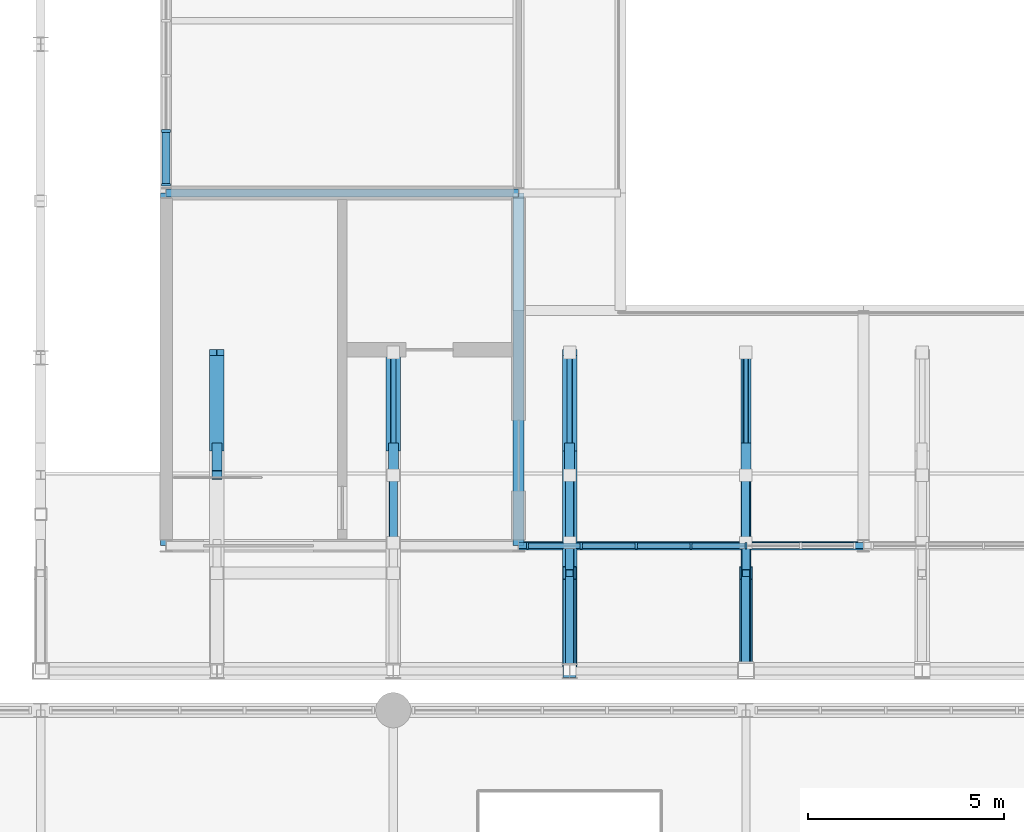
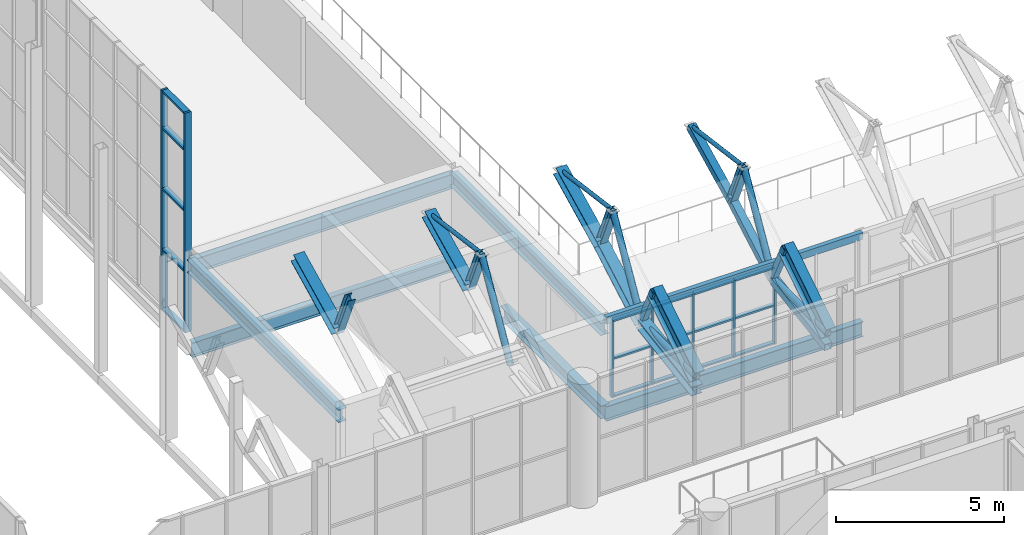
# One storey, part 47 of 134: 46 members, 9 beams, 2 elements without a shape of their own.
"""IFC4 building model written with IfcOpenShell, lengths in metres."""

from ifc_helpers import new_model, si_unit, direction, frame, origin, origin_2d, place, context, subcontext, project, spatial, rectangle, hollow_rectangle, hollow_circle, i_section, extrude, material, layer, layer_set, material_profile, profile_set, type_object, element, aggregate, save


model = new_model("IFC4")

# Units and contexts
model_context = context("Model", 3, precision=1e-05, world=origin(), true_north=direction((0.0, 1.0)))
body_context = subcontext(model_context, "Body", "Model", "MODEL_VIEW")
ifc_project = project(units=[si_unit("LENGTHUNIT", "METRE"), si_unit("AREAUNIT", "SQUARE_METRE"), si_unit("VOLUMEUNIT", "CUBIC_METRE"), si_unit("PLANEANGLEUNIT", "RADIAN"), si_unit("MASSUNIT", "GRAM", prefix="KILO")], contexts=[model_context])

# Site, building, storey
site_placement = place(None, origin())
site = spatial("IfcSite", under=ifc_project, at=site_placement, CompositionType="ELEMENT")
building_placement = place(site_placement, origin())
building = spatial("IfcBuilding", under=site, at=building_placement, Name="Cazmaro Siding Exhibition Halls", CompositionType="ELEMENT")
storey_placement = place(building_placement, frame((0.0, 0.0, 12.0)))
storey = spatial("IfcBuildingStorey", under=building, at=storey_placement, Name="L02", CompositionType="ELEMENT", Elevation=12.0)

# Beams
ifc_material_1 = material(Name="Steel ASTM A992 Grade 50", Category="steel")
ifc_material_profile_1 = material_profile(ifc_material_1, i_section(OverallWidth=0.327880859375, OverallDepth=0.626953125, WebThickness=0.01708984375, FlangeThickness=0.028076171875, at=origin_2d()), Name="W24X146")
ifc_profile_set_1 = profile_set([ifc_material_profile_1], Name="Steel ASTM A992 Grade 50")
beam_type_1 = type_object("IfcBeamType", Name="AR-01", PredefinedType="USERDEFINED", material=ifc_profile_set_1)
beam_1_placement = place(storey_placement, frame((58.5, 64.0, 2.300048828125), z_axis=(0.0, 0.843339173298, 0.537381650954), x_axis=(-1.0, 0.0, 0.0)))
element("IfcBeam", 1, at=beam_1_placement, inside=storey, type_object=beam_type_1, Name="Space frame barrel vault arched rib AR-01 BM-0607", ObjectType="ARCHED RIB", PredefinedType="USERDEFINED", context=body_context, shape_type="SweptSolid", body=[
    extrude(i_section(OverallWidth=0.327880859375, OverallDepth=0.626953125, WebThickness=0.01708984375, FlangeThickness=0.028076171875, at=origin_2d()), origin(), (0.0, 0.0, 1.0), 2.96435546875),
])
ifc_material_2 = material(Name="Steel ASTM A992 Grade 50", Category="steel")
ifc_material_profile_2 = material_profile(ifc_material_2, i_section(OverallWidth=0.324951171875, OverallDepth=0.612060546875, WebThickness=0.012939453125, FlangeThickness=0.01904296875, at=origin_2d()), Name="W24X104")
ifc_profile_set_2 = profile_set([ifc_material_profile_2], Name="Steel ASTM A992 Grade 50")
beam_type_2 = type_object("IfcBeamType", Name="AR-02", PredefinedType="USERDEFINED", material=ifc_profile_set_2)
beam_2_placement = place(storey_placement, frame((63.0, 64.0, 2.300048828125), z_axis=(0.0, 0.843339173298, 0.537381650954), x_axis=(-1.0, 0.0, 0.0)))
element("IfcBeam", 2, at=beam_2_placement, inside=storey, type_object=beam_type_2, Name="Space frame barrel vault arched rib AR-02 BM-0631", ObjectType="ARCHED RIB", PredefinedType="USERDEFINED", context=body_context, shape_type="SweptSolid", body=[
    extrude(i_section(OverallWidth=0.324951171875, OverallDepth=0.612060546875, WebThickness=0.012939453125, FlangeThickness=0.01904296875, at=origin_2d()), origin(), (0.0, 0.0, 1.0), 2.96435546875),
])
ifc_material_3 = material(Name="Steel ASTM A992 Grade 50", Category="steel")
ifc_material_profile_3 = material_profile(ifc_material_3, i_section(OverallWidth=0.2099609375, OverallDepth=0.535888671875, WebThickness=0.010986328125, FlangeThickness=0.01708984375, at=origin_2d()), Name="W21X68")
ifc_profile_set_3 = profile_set([ifc_material_profile_3], Name="Steel ASTM A992 Grade 50")
beam_type_3 = type_object("IfcBeamType", Name="B-02", PredefinedType="BEAM", material=ifc_profile_set_3)
beam_3_placement = place(storey_placement, frame((48.199951171875, 76.199951171875, 2.52197265625), z_axis=(1.0, 0.0, 0.0), x_axis=(0.0, 1.0, 0.0)))
element("IfcBeam", 3, at=beam_3_placement, inside=storey, type_object=beam_type_3, Name="Beam B-02 BM-0254", PredefinedType="BEAM", context=body_context, shape_type="SweptSolid", body=[
    extrude(i_section(OverallWidth=0.2099609375, OverallDepth=0.535888671875, WebThickness=0.010986328125, FlangeThickness=0.01708984375, at=origin_2d()), origin(), (0.0, 0.0, 1.0), 9.0),
])
beam_4_placement = place(storey_placement, frame((57.199951171875, 67.199951171875, -0.488037109375), z_axis=(1.0, 0.0, 0.0), x_axis=(0.0, 1.0, 0.0)))
element("IfcBeam", 4, at=beam_4_placement, inside=storey, type_object=beam_type_3, Name="Beam B-02 BM-0451", PredefinedType="BEAM", context=body_context, shape_type="SweptSolid", body=[
    extrude(i_section(OverallWidth=0.2099609375, OverallDepth=0.535888671875, WebThickness=0.010986328125, FlangeThickness=0.01708984375, at=origin_2d()), origin(), (0.0, 0.0, 1.0), 8.800048828125),
])
beam_5_placement = place(storey_placement, frame((48.199951171875, 76.199951171875, -0.488037109375), z_axis=(1.0, 0.0, 0.0), x_axis=(0.0, 1.0, 0.0)))
element("IfcBeam", 5, at=beam_5_placement, inside=storey, type_object=beam_type_3, Name="Beam B-02 BM-0485", PredefinedType="BEAM", context=body_context, shape_type="SweptSolid", body=[
    extrude(i_section(OverallWidth=0.2099609375, OverallDepth=0.535888671875, WebThickness=0.010986328125, FlangeThickness=0.01708984375, at=origin_2d()), origin(), (0.0, 0.0, 1.0), 9.0),
])
ifc_material_4 = material(Name="Steel ASTM A992 Grade 50", Category="steel")
ifc_material_profile_4 = material_profile(ifc_material_4, i_section(OverallWidth=0.279052734375, OverallDepth=0.4619140625, WebThickness=0.010986328125, FlangeThickness=0.01708984375, at=origin_2d()), Name="W18X76")
ifc_profile_set_4 = profile_set([ifc_material_profile_4], Name="Steel ASTM A992 Grade 50")
beam_type_4 = type_object("IfcBeamType", Name="B-03", PredefinedType="BEAM", material=ifc_profile_set_4)
for number, where, z_axis, x_axis, name in (
    (6, (48.199951171875, 67.199951171875, 2.55908203125), (0.0, 1.0, 0.0), (-1.0, 0.0, 0.0), "Beam B-03 BM-0255"),
    (7, (57.199951171875, 67.199951171875, 2.55908203125), (0.0, 1.0, 0.0), (-1.0, 0.0, 0.0), "Beam B-03 BM-0256"),
):
    element("IfcBeam", number, at=place(storey_placement, frame(where, z_axis=z_axis, x_axis=x_axis)), inside=storey, type_object=beam_type_4, Name=name, PredefinedType="BEAM", context=body_context, shape_type="SweptSolid", body=[
        extrude(i_section(OverallWidth=0.279052734375, OverallDepth=0.4619140625, WebThickness=0.010986328125, FlangeThickness=0.01708984375, at=origin_2d()), origin(), (0.0, 0.0, 1.0), 9.0),
    ])
beam_6_placement = place(storey_placement, frame((57.199951171875, 67.199951171875, -0.450927734375), z_axis=(0.0, 1.0, 0.0), x_axis=(-1.0, 0.0, 0.0)))
element("IfcBeam", 8, at=beam_6_placement, inside=storey, type_object=beam_type_4, Name="Beam B-03 BM-0473", PredefinedType="BEAM", context=body_context, shape_type="SweptSolid", body=[
    extrude(i_section(OverallWidth=0.279052734375, OverallDepth=0.4619140625, WebThickness=0.010986328125, FlangeThickness=0.01708984375, at=origin_2d()), origin(), (0.0, 0.0, 1.0), 6.0),
])

# Curtain wall, members
ifc_material_5 = material(Name="Anodized Bronze Aluminum and Solar-Control Low-E Glazing", Category="aluminium")
ifc_layer_1 = layer(ifc_material_5, 0.219970703125)
ifc_layer_set_1 = layer_set([ifc_layer_1], Name="Anodized Bronze Aluminum and Solar-Control Low-E Glazing")
curtain_wall_type_1 = type_object("IfcCurtainWallType", Name="CWS-03", PredefinedType="USERDEFINED", material=ifc_layer_set_1)
curtain_wall_1_placement = place(storey_placement, origin())
curtain_wall_1 = element("IfcCurtainWall", 9, at=curtain_wall_1_placement, inside=storey, type_object=curtain_wall_type_1, Name="Glazed Curtain Wall CWS-03 CW-052", ObjectType="GLAZED CURTAIN WALL", PredefinedType="USERDEFINED")
ifc_material_6 = material(Name="Anodized Bronze Extruded Aluminum", Category="aluminium")
ifc_material_profile_5 = material_profile(ifc_material_6, rectangle(XDim=0.219970703125, YDim=0.070068359375, at=origin_2d()), Name="CWM-03")
ifc_profile_set_5 = profile_set([ifc_material_profile_5], Name="Anodized Bronze Extruded Aluminum")
member_type_1 = type_object("IfcMemberType", Name="CWM-03", PredefinedType="MULLION", material=ifc_profile_set_5)
member_1_placement = place(storey_placement, frame((48.199951171875, 77.78466796875, 0.0), z_axis=(0.0, 0.0, 1.0), x_axis=(1.0, 0.0, 0.0)))
member_1 = element("IfcMember", 10, at=member_1_placement, type_object=member_type_1, Name="CWS-03 mullion 6", PredefinedType="MULLION", context=body_context, shape_type="SweptSolid", body=[
    extrude(rectangle(XDim=0.219970703125, YDim=0.070068359375, at=origin_2d()), origin(), (0.0, 0.0, 1.0), 7.972900390625),
])
member_2_placement = place(storey_placement, frame((48.199951171875, 76.412109375, 0.0), z_axis=(0.0, 0.0, 1.0), x_axis=(1.0, 0.0, 0.0)))
member_2 = element("IfcMember", 11, at=member_2_placement, type_object=member_type_1, Name="CWS-03 mullion 7", PredefinedType="MULLION", context=body_context, shape_type="SweptSolid", body=[
    extrude(rectangle(XDim=0.219970703125, YDim=0.070068359375, at=origin_2d()), origin(), (0.0, 0.0, 1.0), 7.972900390625),
])

ifc_material_7 = material(Name="Anodized Bronze Aluminum and Solar-Control Low-E Glazing", Category="aluminium")
ifc_layer_2 = layer(ifc_material_7, 0.159912109375)
ifc_layer_set_2 = layer_set([ifc_layer_2], Name="Anodized Bronze Aluminum and Solar-Control Low-E Glazing")
curtain_wall_type_2 = type_object("IfcCurtainWallType", Name="CWS-04", PredefinedType="USERDEFINED", material=ifc_layer_set_2)
curtain_wall_2_placement = place(storey_placement, origin())
curtain_wall_2 = element("IfcCurtainWall", 12, at=curtain_wall_2_placement, inside=storey, type_object=curtain_wall_type_2, Name="Clerestory Curtain Wall CWS-04 CW-005", ObjectType="CLERESTORY CURTAIN WALL", PredefinedType="USERDEFINED")
ifc_material_8 = material(Name="Anodized Bronze Extruded Aluminum", Category="aluminium")
ifc_material_profile_6 = material_profile(ifc_material_8, rectangle(XDim=0.159912109375, YDim=0.06005859375, at=origin_2d()), Name="CWM-04")
ifc_profile_set_6 = profile_set([ifc_material_profile_6], Name="Anodized Bronze Extruded Aluminum")
member_type_2 = type_object("IfcMemberType", Name="CWM-04", PredefinedType="MULLION", material=ifc_profile_set_6)
member_3_placement = place(storey_placement, frame((57.427001953125, 67.199951171875, 0.0), z_axis=(0.0, 0.0, 1.0), x_axis=(0.0, 1.0, 0.0)))
member_3 = element("IfcMember", 13, at=member_3_placement, type_object=member_type_2, Name="CWS-04 mullion 1", PredefinedType="MULLION", context=body_context, shape_type="SweptSolid", body=[
    extrude(rectangle(XDim=0.159912109375, YDim=0.06005859375, at=origin_2d()), origin(), (0.0, 0.0, 1.0), 2.800048828125),
])
member_4_placement = place(storey_placement, frame((58.798095703125, 67.199951171875, 0.0), z_axis=(0.0, 0.0, 1.0), x_axis=(0.0, 1.0, 0.0)))
member_4 = element("IfcMember", 14, at=member_4_placement, type_object=member_type_2, Name="CWS-04 mullion 2", PredefinedType="MULLION", context=body_context, shape_type="SweptSolid", body=[
    extrude(rectangle(XDim=0.159912109375, YDim=0.06005859375, at=origin_2d()), origin(), (0.0, 0.0, 1.0), 2.800048828125),
])
member_5_placement = place(storey_placement, frame((60.198974609375, 67.199951171875, 0.0), z_axis=(0.0, 0.0, 1.0), x_axis=(0.0, 1.0, 0.0)))
member_5 = element("IfcMember", 15, at=member_5_placement, type_object=member_type_2, Name="CWS-04 mullion 3", PredefinedType="MULLION", context=body_context, shape_type="SweptSolid", body=[
    extrude(rectangle(XDim=0.159912109375, YDim=0.06005859375, at=origin_2d()), origin(), (0.0, 0.0, 1.0), 2.800048828125),
])
member_6_placement = place(storey_placement, frame((61.60009765625, 67.199951171875, 0.0), z_axis=(0.0, 0.0, 1.0), x_axis=(0.0, 1.0, 0.0)))
member_6 = element("IfcMember", 16, at=member_6_placement, type_object=member_type_2, Name="CWS-04 mullion 4", PredefinedType="MULLION", context=body_context, shape_type="SweptSolid", body=[
    extrude(rectangle(XDim=0.159912109375, YDim=0.06005859375, at=origin_2d()), origin(), (0.0, 0.0, 1.0), 2.800048828125),
])
member_7_placement = place(storey_placement, frame((63.0009765625, 67.199951171875, 0.0), z_axis=(0.0, 0.0, 1.0), x_axis=(0.0, 1.0, 0.0)))
member_7 = element("IfcMember", 17, at=member_7_placement, type_object=member_type_2, Name="CWS-04 mullion 5", PredefinedType="MULLION", context=body_context, shape_type="SweptSolid", body=[
    extrude(rectangle(XDim=0.159912109375, YDim=0.06005859375, at=origin_2d()), origin(), (0.0, 0.0, 1.0), 2.800048828125),
])

# Member
ifc_material_9 = material(Name="Anodized Bronze Extruded Aluminum", Category="aluminium")
ifc_material_profile_7 = material_profile(ifc_material_9, rectangle(XDim=0.199951171875, YDim=0.070068359375, at=origin_2d()), Name="CWT-03")
ifc_profile_set_7 = profile_set([ifc_material_profile_7], Name="Anodized Bronze Extruded Aluminum")
member_type_3 = type_object("IfcMemberType", Name="CWT-03", PredefinedType="MULLION", material=ifc_profile_set_7)
member_8_placement = place(storey_placement, frame((48.199951171875, 77.749755859375, 0.034912109375), z_axis=(0.0, -1.0, 0.0), x_axis=(1.0, 0.0, 0.0)))
member_8 = element("IfcMember", 18, at=member_8_placement, type_object=member_type_3, Name="CWS-03 transom 6.1", ObjectType="TRANSOM", PredefinedType="USERDEFINED", context=body_context, shape_type="SweptSolid", body=[
    extrude(rectangle(XDim=0.199951171875, YDim=0.070068359375, at=origin_2d()), origin(), (0.0, 0.0, 1.0), 1.302734375),
])

member_9_placement = place(storey_placement, frame((48.199951171875, 77.749755859375, 2.199951171875), z_axis=(0.0, -1.0, 0.0), x_axis=(1.0, 0.0, 0.0)))
member_9 = element("IfcMember", 19, at=member_9_placement, type_object=member_type_3, Name="CWS-03 transom 6.2", ObjectType="TRANSOM", PredefinedType="USERDEFINED", context=body_context, shape_type="SweptSolid", body=[
    extrude(rectangle(XDim=0.199951171875, YDim=0.070068359375, at=origin_2d()), origin(), (0.0, 0.0, 1.0), 1.302734375),
])

member_10_placement = place(storey_placement, frame((48.199951171875, 77.749755859375, 4.39990234375), z_axis=(0.0, -1.0, 0.0), x_axis=(1.0, 0.0, 0.0)))
member_10 = element("IfcMember", 20, at=member_10_placement, type_object=member_type_3, Name="CWS-03 transom 6.3", ObjectType="TRANSOM", PredefinedType="USERDEFINED", context=body_context, shape_type="SweptSolid", body=[
    extrude(rectangle(XDim=0.199951171875, YDim=0.070068359375, at=origin_2d()), origin(), (0.0, 0.0, 1.0), 1.302734375),
])

member_11_placement = place(storey_placement, frame((48.199951171875, 77.749755859375, 6.60009765625), z_axis=(0.0, -1.0, 0.0), x_axis=(1.0, 0.0, 0.0)))
member_11 = element("IfcMember", 21, at=member_11_placement, type_object=member_type_3, Name="CWS-03 transom 6.4", ObjectType="TRANSOM", PredefinedType="USERDEFINED", context=body_context, shape_type="SweptSolid", body=[
    extrude(rectangle(XDim=0.199951171875, YDim=0.070068359375, at=origin_2d()), origin(), (0.0, 0.0, 1.0), 1.302734375),
])

member_12_placement = place(storey_placement, frame((48.199951171875, 77.749755859375, 7.93798828125), z_axis=(0.0, -1.0, 0.0), x_axis=(1.0, 0.0, 0.0)))
member_12 = element("IfcMember", 22, at=member_12_placement, type_object=member_type_3, Name="CWS-03 transom 6.5", ObjectType="TRANSOM", PredefinedType="USERDEFINED", context=body_context, shape_type="SweptSolid", body=[
    extrude(rectangle(XDim=0.199951171875, YDim=0.070068359375, at=origin_2d()), origin(), (0.0, 0.0, 1.0), 1.302734375),
])

aggregate(curtain_wall_1, [member_1, member_2, member_8, member_9, member_10, member_11, member_12])

ifc_material_10 = material(Name="Anodized Bronze Extruded Aluminum", Category="aluminium")
ifc_material_profile_8 = material_profile(ifc_material_10, rectangle(XDim=0.139892578125, YDim=0.06005859375, at=origin_2d()), Name="CWT-04")
ifc_profile_set_8 = profile_set([ifc_material_profile_8], Name="Anodized Bronze Extruded Aluminum")
member_type_4 = type_object("IfcMemberType", Name="CWT-04", PredefinedType="MULLION", material=ifc_profile_set_8)
member_13_placement = place(storey_placement, frame((57.45703125, 67.199951171875, 0.030029296875), z_axis=(1.0, 0.0, 0.0), x_axis=(0.0, 1.0, 0.0)))
member_13 = element("IfcMember", 23, at=member_13_placement, type_object=member_type_4, Name="CWS-04 transom 1.1", ObjectType="TRANSOM", PredefinedType="USERDEFINED", context=body_context, shape_type="SweptSolid", body=[
    extrude(rectangle(XDim=0.139892578125, YDim=0.06005859375, at=origin_2d()), origin(), (0.0, 0.0, 1.0), 1.31103515625),
])

member_14_placement = place(storey_placement, frame((57.45703125, 67.199951171875, 1.39990234375), z_axis=(1.0, 0.0, 0.0), x_axis=(0.0, 1.0, 0.0)))
member_14 = element("IfcMember", 24, at=member_14_placement, type_object=member_type_4, Name="CWS-04 transom 1.2", ObjectType="TRANSOM", PredefinedType="USERDEFINED", context=body_context, shape_type="SweptSolid", body=[
    extrude(rectangle(XDim=0.139892578125, YDim=0.06005859375, at=origin_2d()), origin(), (0.0, 0.0, 1.0), 1.31103515625),
])

member_15_placement = place(storey_placement, frame((57.45703125, 67.199951171875, 2.77001953125), z_axis=(1.0, 0.0, 0.0), x_axis=(0.0, 1.0, 0.0)))
member_15 = element("IfcMember", 25, at=member_15_placement, type_object=member_type_4, Name="CWS-04 transom 1.3", ObjectType="TRANSOM", PredefinedType="USERDEFINED", context=body_context, shape_type="SweptSolid", body=[
    extrude(rectangle(XDim=0.139892578125, YDim=0.06005859375, at=origin_2d()), origin(), (0.0, 0.0, 1.0), 1.31103515625),
])

member_16_placement = place(storey_placement, frame((58.827880859375, 67.199951171875, 0.030029296875), z_axis=(1.0, 0.0, 0.0), x_axis=(0.0, 1.0, 0.0)))
member_16 = element("IfcMember", 26, at=member_16_placement, type_object=member_type_4, Name="CWS-04 transom 2.1", ObjectType="TRANSOM", PredefinedType="USERDEFINED", context=body_context, shape_type="SweptSolid", body=[
    extrude(rectangle(XDim=0.139892578125, YDim=0.06005859375, at=origin_2d()), origin(), (0.0, 0.0, 1.0), 1.341064453125),
])

member_17_placement = place(storey_placement, frame((58.827880859375, 67.199951171875, 1.39990234375), z_axis=(1.0, 0.0, 0.0), x_axis=(0.0, 1.0, 0.0)))
member_17 = element("IfcMember", 27, at=member_17_placement, type_object=member_type_4, Name="CWS-04 transom 2.2", ObjectType="TRANSOM", PredefinedType="USERDEFINED", context=body_context, shape_type="SweptSolid", body=[
    extrude(rectangle(XDim=0.139892578125, YDim=0.06005859375, at=origin_2d()), origin(), (0.0, 0.0, 1.0), 1.341064453125),
])

member_18_placement = place(storey_placement, frame((58.827880859375, 67.199951171875, 2.77001953125), z_axis=(1.0, 0.0, 0.0), x_axis=(0.0, 1.0, 0.0)))
member_18 = element("IfcMember", 28, at=member_18_placement, type_object=member_type_4, Name="CWS-04 transom 2.3", ObjectType="TRANSOM", PredefinedType="USERDEFINED", context=body_context, shape_type="SweptSolid", body=[
    extrude(rectangle(XDim=0.139892578125, YDim=0.06005859375, at=origin_2d()), origin(), (0.0, 0.0, 1.0), 1.341064453125),
])

member_19_placement = place(storey_placement, frame((60.22900390625, 67.199951171875, 0.030029296875), z_axis=(1.0, 0.0, 0.0), x_axis=(0.0, 1.0, 0.0)))
member_19 = element("IfcMember", 29, at=member_19_placement, type_object=member_type_4, Name="CWS-04 transom 3.1", ObjectType="TRANSOM", PredefinedType="USERDEFINED", context=body_context, shape_type="SweptSolid", body=[
    extrude(rectangle(XDim=0.139892578125, YDim=0.06005859375, at=origin_2d()), origin(), (0.0, 0.0, 1.0), 1.341064453125),
])

member_20_placement = place(storey_placement, frame((60.22900390625, 67.199951171875, 1.39990234375), z_axis=(1.0, 0.0, 0.0), x_axis=(0.0, 1.0, 0.0)))
member_20 = element("IfcMember", 30, at=member_20_placement, type_object=member_type_4, Name="CWS-04 transom 3.2", ObjectType="TRANSOM", PredefinedType="USERDEFINED", context=body_context, shape_type="SweptSolid", body=[
    extrude(rectangle(XDim=0.139892578125, YDim=0.06005859375, at=origin_2d()), origin(), (0.0, 0.0, 1.0), 1.341064453125),
])

member_21_placement = place(storey_placement, frame((60.22900390625, 67.199951171875, 2.77001953125), z_axis=(1.0, 0.0, 0.0), x_axis=(0.0, 1.0, 0.0)))
member_21 = element("IfcMember", 31, at=member_21_placement, type_object=member_type_4, Name="CWS-04 transom 3.3", ObjectType="TRANSOM", PredefinedType="USERDEFINED", context=body_context, shape_type="SweptSolid", body=[
    extrude(rectangle(XDim=0.139892578125, YDim=0.06005859375, at=origin_2d()), origin(), (0.0, 0.0, 1.0), 1.341064453125),
])

member_22_placement = place(storey_placement, frame((61.6298828125, 67.199951171875, 0.030029296875), z_axis=(1.0, 0.0, 0.0), x_axis=(0.0, 1.0, 0.0)))
member_22 = element("IfcMember", 32, at=member_22_placement, type_object=member_type_4, Name="CWS-04 transom 4.1", ObjectType="TRANSOM", PredefinedType="USERDEFINED", context=body_context, shape_type="SweptSolid", body=[
    extrude(rectangle(XDim=0.139892578125, YDim=0.06005859375, at=origin_2d()), origin(), (0.0, 0.0, 1.0), 1.341064453125),
])

member_23_placement = place(storey_placement, frame((61.6298828125, 67.199951171875, 1.39990234375), z_axis=(1.0, 0.0, 0.0), x_axis=(0.0, 1.0, 0.0)))
member_23 = element("IfcMember", 33, at=member_23_placement, type_object=member_type_4, Name="CWS-04 transom 4.2", ObjectType="TRANSOM", PredefinedType="USERDEFINED", context=body_context, shape_type="SweptSolid", body=[
    extrude(rectangle(XDim=0.139892578125, YDim=0.06005859375, at=origin_2d()), origin(), (0.0, 0.0, 1.0), 1.341064453125),
])

member_24_placement = place(storey_placement, frame((61.6298828125, 67.199951171875, 2.77001953125), z_axis=(1.0, 0.0, 0.0), x_axis=(0.0, 1.0, 0.0)))
member_24 = element("IfcMember", 34, at=member_24_placement, type_object=member_type_4, Name="CWS-04 transom 4.3", ObjectType="TRANSOM", PredefinedType="USERDEFINED", context=body_context, shape_type="SweptSolid", body=[
    extrude(rectangle(XDim=0.139892578125, YDim=0.06005859375, at=origin_2d()), origin(), (0.0, 0.0, 1.0), 1.341064453125),
])

aggregate(curtain_wall_2, [member_3, member_4, member_5, member_6, member_7, member_13, member_14, member_15, member_16, member_17, member_18, member_19, member_20, member_21, member_22, member_23, member_24])

# Beam
ifc_material_11 = material(Name="Steel ASTM A500 Grade C", Category="steel")
ifc_material_profile_9 = material_profile(ifc_material_11, hollow_rectangle(XDim=0.152099609375, YDim=0.25390625, WallThickness=0.011962890625, at=origin_2d()), Name="HSS10X6X1/2")
ifc_profile_set_9 = profile_set([ifc_material_profile_9], Name="Steel ASTM A500 Grade C")
beam_type_5 = type_object("IfcBeamType", Name="SP-02", PredefinedType="SPANDREL", material=ifc_profile_set_9)
beam_7_placement = place(storey_placement, frame((57.199951171875, 67.199951171875, 2.873046875), z_axis=(1.0, 0.0, 0.0), x_axis=(0.0, 1.0, 0.0)))
element("IfcBeam", 35, at=beam_7_placement, inside=storey, type_object=beam_type_5, Name="Beam SP-02 BM-0231", PredefinedType="SPANDREL", context=body_context, shape_type="SweptSolid", body=[
    extrude(hollow_rectangle(XDim=0.152099609375, YDim=0.25390625, WallThickness=0.011962890625, at=origin_2d()), origin(), (0.0, 0.0, 1.0), 8.800048828125),
])

# Members
ifc_material_12 = material(Name="Steel ASTM A500 Grade C", Category="steel")
ifc_material_profile_10 = material_profile(ifc_material_12, hollow_rectangle(XDim=0.25390625, YDim=0.25390625, WallThickness=0.014892578125, at=origin_2d()), Name="HSS10X10X5/8")
ifc_profile_set_10 = profile_set([ifc_material_profile_10], Name="Steel ASTM A500 Grade C")
member_type_5 = type_object("IfcMemberType", Name="TC-01", PredefinedType="CHORD", material=ifc_profile_set_10)
member_25_placement = place(storey_placement, frame((63.0, 64.0, 1.800048828125), z_axis=(0.0, 0.988252010809, 0.152833121839), x_axis=(-1.0, 0.0, 0.0)))
element("IfcMember", 36, at=member_25_placement, inside=storey, type_object=member_type_5, Name="Space frame barrel vault bottom chord TC-01 MEM-0237", PredefinedType="CHORD", context=body_context, shape_type="SweptSolid", body=[
    extrude(hollow_rectangle(XDim=0.25390625, YDim=0.25390625, WallThickness=0.014892578125, at=origin_2d()), origin(), (0.0, 0.0, 1.0), 3.309814453125),
])
member_26_placement = place(storey_placement, frame((63.0, 67.27099609375, 2.305908203125), z_axis=(0.0, 0.871222319466, 0.490888653428), x_axis=(-1.0, 0.0, 0.0)))
element("IfcMember", 37, at=member_26_placement, inside=storey, type_object=member_type_5, Name="Space frame barrel vault bottom chord TC-01 MEM-0239", PredefinedType="CHORD", context=body_context, shape_type="SweptSolid", body=[
    extrude(hollow_rectangle(XDim=0.25390625, YDim=0.25390625, WallThickness=0.014892578125, at=origin_2d()), origin(), (0.0, 0.0, 1.0), 2.7890625),
])
member_27_placement = place(storey_placement, frame((63.0, 69.700927734375, 3.675048828125), z_axis=(0.0, 0.896077457924, 0.443897724033), x_axis=(-1.0, 0.0, 0.0)))
element("IfcMember", 38, at=member_27_placement, inside=storey, type_object=member_type_5, Name="Space frame barrel vault bottom chord TC-01 MEM-0241", PredefinedType="CHORD", context=body_context, shape_type="SweptSolid", body=[
    extrude(hollow_rectangle(XDim=0.25390625, YDim=0.25390625, WallThickness=0.014892578125, at=origin_2d()), origin(), (0.0, 0.0, 1.0), 2.7119140625),
])
ifc_material_13 = material(Name="Steel ASTM A992 Grade 50", Category="steel")
ifc_material_profile_11 = material_profile(ifc_material_13, i_section(OverallWidth=0.37109375, OverallDepth=0.364013671875, WebThickness=0.012939453125, FlangeThickness=0.02197265625, at=origin_2d()), Name="W14X109")
ifc_profile_set_11 = profile_set([ifc_material_profile_11], Name="Steel ASTM A992 Grade 50")
member_type_6 = type_object("IfcMemberType", Name="TC-06", PredefinedType="CHORD", material=ifc_profile_set_11)
for number, where, z_axis, x_axis, name in (
    (39, (49.5, 69.700927734375, 3.675048828125), (0.0, 0.896077457924, 0.443897724033), (-1.0, 0.0, 0.0), "Space frame barrel vault bottom chord TC-06 MEM-0050"),
    (40, (54.0, 69.700927734375, 3.675048828125), (0.0, 0.896077457924, 0.443897724033), (-1.0, 0.0, 0.0), "Space frame barrel vault bottom chord TC-06 MEM-0099"),
):
    element("IfcMember", number, at=place(storey_placement, frame(where, z_axis=z_axis, x_axis=x_axis)), inside=storey, type_object=member_type_6, Name=name, PredefinedType="CHORD", context=body_context, shape_type="SweptSolid", body=[
        extrude(i_section(OverallWidth=0.37109375, OverallDepth=0.364013671875, WebThickness=0.012939453125, FlangeThickness=0.02197265625, at=origin_2d()), origin(), (0.0, 0.0, 1.0), 2.7119140625),
    ])
member_28_placement = place(storey_placement, frame((58.5, 64.0, 1.800048828125), z_axis=(0.0, 0.988252010809, 0.152833121839), x_axis=(-1.0, 0.0, 0.0)))
element("IfcMember", 41, at=member_28_placement, inside=storey, type_object=member_type_6, Name="Space frame barrel vault bottom chord TC-06 MEM-0166", PredefinedType="CHORD", context=body_context, shape_type="SweptSolid", body=[
    extrude(i_section(OverallWidth=0.37109375, OverallDepth=0.364013671875, WebThickness=0.012939453125, FlangeThickness=0.02197265625, at=origin_2d()), origin(), (0.0, 0.0, 1.0), 3.309814453125),
])
member_29_placement = place(storey_placement, frame((58.5, 67.27099609375, 2.305908203125), z_axis=(0.0, 0.871222319466, 0.490888653428), x_axis=(-1.0, 0.0, 0.0)))
element("IfcMember", 42, at=member_29_placement, inside=storey, type_object=member_type_6, Name="Space frame barrel vault bottom chord TC-06 MEM-0168", PredefinedType="CHORD", context=body_context, shape_type="SweptSolid", body=[
    extrude(i_section(OverallWidth=0.37109375, OverallDepth=0.364013671875, WebThickness=0.012939453125, FlangeThickness=0.02197265625, at=origin_2d()), origin(), (0.0, 0.0, 1.0), 2.7890625),
])
member_30_placement = place(storey_placement, frame((58.5, 69.700927734375, 3.675048828125), z_axis=(0.0, 0.896077457924, 0.443897724033), x_axis=(-1.0, 0.0, 0.0)))
element("IfcMember", 43, at=member_30_placement, inside=storey, type_object=member_type_6, Name="Space frame barrel vault bottom chord TC-06 MEM-0170", PredefinedType="CHORD", context=body_context, shape_type="SweptSolid", body=[
    extrude(i_section(OverallWidth=0.37109375, OverallDepth=0.364013671875, WebThickness=0.012939453125, FlangeThickness=0.02197265625, at=origin_2d()), origin(), (0.0, 0.0, 1.0), 2.7119140625),
])
ifc_material_14 = material(Name="Steel ASTM A500 Grade C", Category="steel")
ifc_material_profile_12 = material_profile(ifc_material_14, hollow_rectangle(XDim=0.202880859375, YDim=0.202880859375, WallThickness=0.011962890625, at=origin_2d()), Name="HSS8X8X1/2")
ifc_profile_set_12 = profile_set([ifc_material_profile_12], Name="Steel ASTM A500 Grade C")
member_type_7 = type_object("IfcMemberType", Name="TP-01", PredefinedType="POST", material=ifc_profile_set_12)
for number, where, z_axis, x_axis, name in (
    (44, (58.5, 67.27099609375, 2.305908203125), (0.0, -0.436945543824, 0.89948796086), (1.0, 0.0, 0.0), "Space frame barrel vault post TP-01 MEM-0214"),
    (45, (63.0, 67.27099609375, 2.305908203125), (0.0, -0.436945543824, 0.89948796086), (1.0, 0.0, 0.0), "Space frame barrel vault post TP-01 MEM-0285"),
):
    element("IfcMember", number, at=place(storey_placement, frame(where, z_axis=z_axis, x_axis=x_axis)), inside=storey, type_object=member_type_7, Name=name, PredefinedType="POST", context=body_context, shape_type="SweptSolid", body=[
        extrude(hollow_rectangle(XDim=0.202880859375, YDim=0.202880859375, WallThickness=0.011962890625, at=origin_2d()), origin(), (0.0, 0.0, 1.0), 1.764404296875),
    ])
ifc_material_15 = material(Name="Steel ASTM A992 Grade 50", Category="steel")
ifc_material_profile_13 = material_profile(ifc_material_15, i_section(OverallWidth=0.25390625, OverallDepth=0.25390625, WebThickness=0.009033203125, FlangeThickness=0.013916015625, at=origin_2d()), Name="W10X49")
ifc_profile_set_13 = profile_set([ifc_material_profile_13], Name="Steel ASTM A992 Grade 50")
member_type_8 = type_object("IfcMemberType", Name="TP-04", PredefinedType="POST", material=ifc_profile_set_13)
for number, where, z_axis, x_axis, name in (
    (46, (49.5, 69.700927734375, 3.675048828125), (0.0, -0.395865434272, 0.918308530913), (1.0, 0.0, 0.0), "Space frame barrel vault post TP-04 MEM-0073"),
    (47, (54.0, 69.700927734375, 3.675048828125), (0.0, -0.395865434272, 0.918308530913), (1.0, 0.0, 0.0), "Space frame barrel vault post TP-04 MEM-0144"),
    (48, (58.5, 69.700927734375, 3.675048828125), (0.0, -0.395865434272, 0.918308530913), (1.0, 0.0, 0.0), "Space frame barrel vault post TP-04 MEM-0215"),
    (49, (63.0, 69.700927734375, 3.675048828125), (0.0, -0.395865434272, 0.918308530913), (1.0, 0.0, 0.0), "Space frame barrel vault post TP-04 MEM-0286"),
):
    element("IfcMember", number, at=place(storey_placement, frame(where, z_axis=z_axis, x_axis=x_axis)), inside=storey, type_object=member_type_8, Name=name, PredefinedType="POST", context=body_context, shape_type="SweptSolid", body=[
        extrude(i_section(OverallWidth=0.25390625, OverallDepth=0.25390625, WebThickness=0.009033203125, FlangeThickness=0.013916015625, at=origin_2d()), origin(), (0.0, 0.0, 1.0), 1.7705078125),
    ])
ifc_material_16 = material(Name="Steel ASTM A500 Grade C", Category="steel")
ifc_material_profile_14 = material_profile(ifc_material_16, hollow_circle(Radius=0.109619140625, WallThickness=0.012939453125, at=origin_2d()), Name="PIPE8XS")
ifc_profile_set_14 = profile_set([ifc_material_profile_14], Name="Steel ASTM A500 Grade C")
member_type_9 = type_object("IfcMemberType", Name="WB-01", PredefinedType="BRACE", material=ifc_profile_set_14)
member_31_placement = place(storey_placement, frame((54.0, 67.27099609375, 2.305908203125), z_axis=(0.0, 0.499950595228, 0.866053925764), x_axis=(-1.0, 0.0, 0.0)))
element("IfcMember", 50, at=member_31_placement, inside=storey, type_object=member_type_9, Name="Space frame barrel vault diagonal WB-01 MEM-0098", PredefinedType="BRACE", context=body_context, shape_type="SweptSolid", body=[
    extrude(hollow_circle(Radius=0.109619140625, WallThickness=0.012939453125, at=origin_2d()), origin(), (0.0, 0.0, 1.0), 3.458251953125),
])
member_32_placement = place(storey_placement, frame((58.5, 64.0, 2.300048828125), z_axis=(0.0, 0.999998395604, 0.001791309262), x_axis=(-1.0, 0.0, 0.0)))
element("IfcMember", 51, at=member_32_placement, inside=storey, type_object=member_type_9, Name="Space frame barrel vault diagonal WB-01 MEM-0167", PredefinedType="BRACE", context=body_context, shape_type="SweptSolid", body=[
    extrude(hollow_circle(Radius=0.109619140625, WallThickness=0.012939453125, at=origin_2d()), origin(), (0.0, 0.0, 1.0), 3.27099609375),
])
member_33_placement = place(storey_placement, frame((58.5, 67.27099609375, 2.305908203125), z_axis=(0.0, 0.499950595228, 0.866053925764), x_axis=(-1.0, 0.0, 0.0)))
element("IfcMember", 52, at=member_33_placement, inside=storey, type_object=member_type_9, Name="Space frame barrel vault diagonal WB-01 MEM-0169", PredefinedType="BRACE", context=body_context, shape_type="SweptSolid", body=[
    extrude(hollow_circle(Radius=0.109619140625, WallThickness=0.012939453125, at=origin_2d()), origin(), (0.0, 0.0, 1.0), 3.458251953125),
])
member_34_placement = place(storey_placement, frame((63.0, 64.0, 2.300048828125), z_axis=(0.0, 0.999998395604, 0.001791309262), x_axis=(-1.0, 0.0, 0.0)))
element("IfcMember", 53, at=member_34_placement, inside=storey, type_object=member_type_9, Name="Space frame barrel vault diagonal WB-01 MEM-0238", PredefinedType="BRACE", context=body_context, shape_type="SweptSolid", body=[
    extrude(hollow_circle(Radius=0.109619140625, WallThickness=0.012939453125, at=origin_2d()), origin(), (0.0, 0.0, 1.0), 3.27099609375),
])
member_35_placement = place(storey_placement, frame((63.0, 67.27099609375, 2.305908203125), z_axis=(0.0, 0.499950595228, 0.866053925764), x_axis=(-1.0, 0.0, 0.0)))
element("IfcMember", 54, at=member_35_placement, inside=storey, type_object=member_type_9, Name="Space frame barrel vault diagonal WB-01 MEM-0240", PredefinedType="BRACE", context=body_context, shape_type="SweptSolid", body=[
    extrude(hollow_circle(Radius=0.109619140625, WallThickness=0.012939453125, at=origin_2d()), origin(), (0.0, 0.0, 1.0), 3.458251953125),
])
ifc_material_17 = material(Name="Steel ASTM A500 Grade C", Category="steel")
ifc_material_profile_15 = material_profile(ifc_material_17, hollow_circle(Radius=0.070556640625, WallThickness=0.01904296875, at=origin_2d()), Name="PIPE5XXS")
ifc_profile_set_15 = profile_set([ifc_material_profile_15], Name="Steel ASTM A500 Grade C")
member_type_10 = type_object("IfcMemberType", Name="WB-07", PredefinedType="BRACE", material=ifc_profile_set_15)
for number, where, z_axis, x_axis, name in (
    (55, (54.0, 69.0, 5.301025390625), (0.0, 0.991034510477, -0.133606134005), (-1.0, 0.0, 0.0), "Space frame barrel vault diagonal WB-07 MEM-0100"),
    (56, (58.5, 69.0, 5.301025390625), (0.0, 0.991034510477, -0.133606134005), (-1.0, 0.0, 0.0), "Space frame barrel vault diagonal WB-07 MEM-0171"),
    (57, (63.0, 69.0, 5.301025390625), (0.0, 0.991034510477, -0.133606134005), (-1.0, 0.0, 0.0), "Space frame barrel vault diagonal WB-07 MEM-0242"),
):
    element("IfcMember", number, at=place(storey_placement, frame(where, z_axis=z_axis, x_axis=x_axis)), inside=storey, type_object=member_type_10, Name=name, PredefinedType="BRACE", context=body_context, shape_type="SweptSolid", body=[
        extrude(hollow_circle(Radius=0.070556640625, WallThickness=0.01904296875, at=origin_2d()), origin(), (0.0, 0.0, 1.0), 3.159423828125),
    ])

save(model, "model.ifc")
